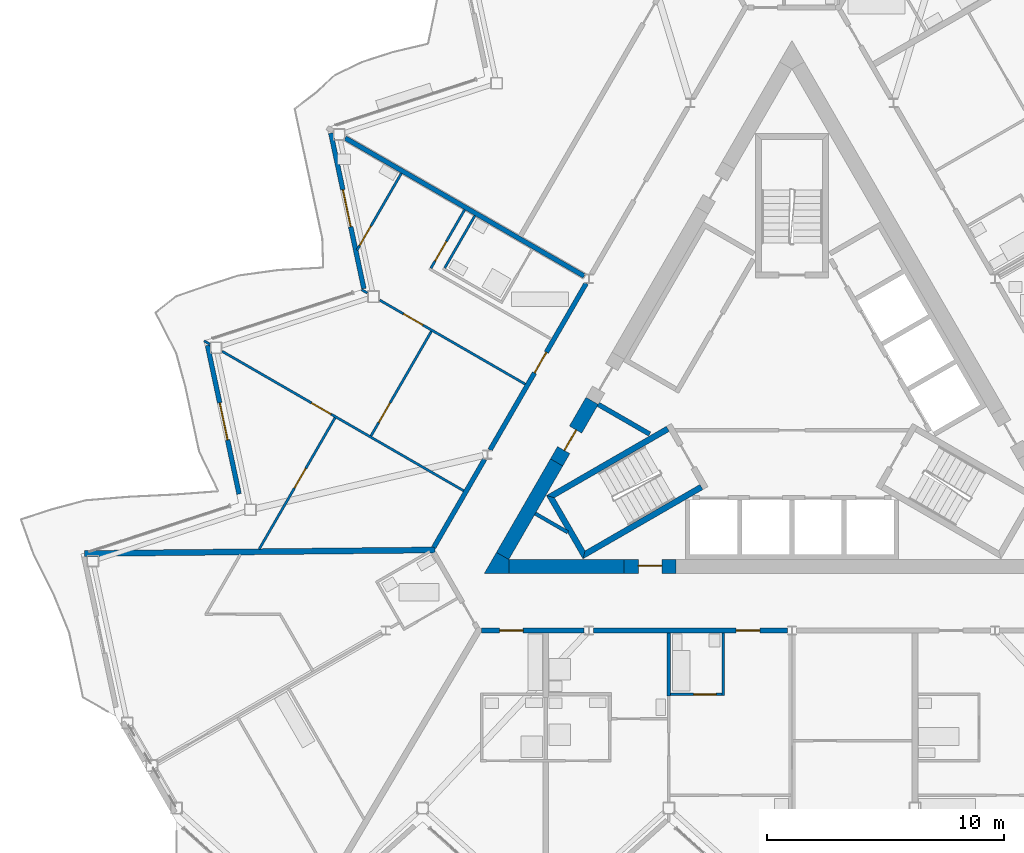
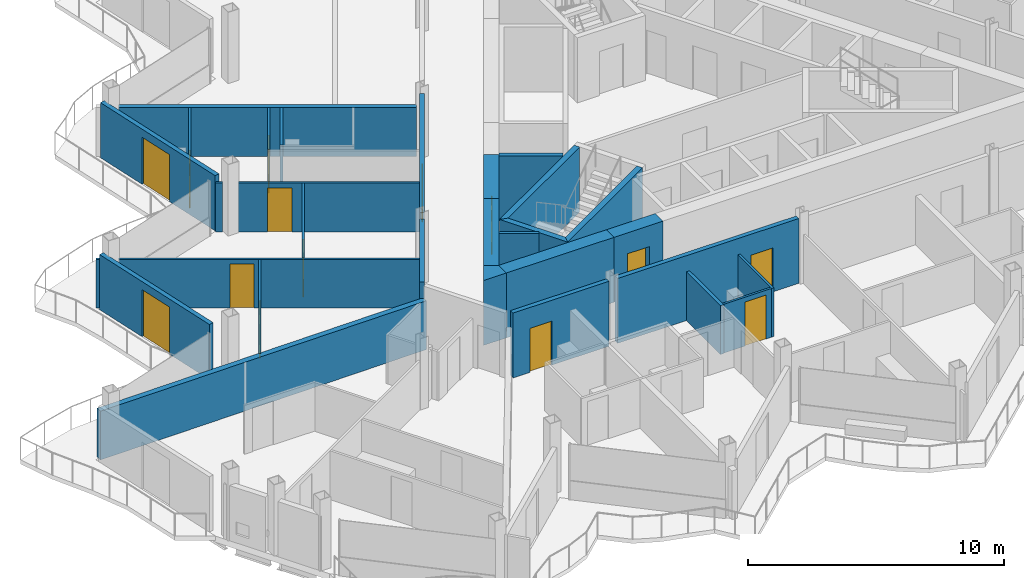
# One storey, part 13 of 26: 30 walls, 14 doors, 14 openings.
"""IFC4 building model written with IfcOpenShell, lengths in metres."""

from ifc_helpers import new_model, si_unit, direction, frame, frame_2d, origin, place, context, subcontext, project, spatial, polyline, rectangle, outline, extrude, material, layer, layer_set, type_object, element, fill, save


model = new_model("IFC4")

# Units and contexts
model_context = context("Model", 3, precision=1e-05, world=origin(), true_north=direction((0.0, 1.0)))
body_context = subcontext(model_context, "Body", "Model", "MODEL_VIEW")
ifc_project = project(units=[si_unit("LENGTHUNIT", "METRE"), si_unit("AREAUNIT", "SQUARE_METRE"), si_unit("VOLUMEUNIT", "CUBIC_METRE"), si_unit("PLANEANGLEUNIT", "RADIAN"), si_unit("MASSUNIT", "GRAM", prefix="KILO")], contexts=[model_context])

# Site, building, storey
site_placement = place(None, origin())
site = spatial("IfcSite", under=ifc_project, at=site_placement, CompositionType="ELEMENT")
building_placement = place(site_placement, origin())
building = spatial("IfcBuilding", under=site, at=building_placement, Name="Cormorant Prow Tower", CompositionType="ELEMENT")
storey_placement = place(building_placement, frame((0.0, 0.0, 374.60009765625)))
storey = spatial("IfcBuildingStorey", under=building, at=storey_placement, Name="L84", CompositionType="ELEMENT", Elevation=374.60009765625)

# Walls
ifc_material_1 = material(Name="Gypsum board partition")
ifc_layer_1 = layer(ifc_material_1, 0.14990234375)
ifc_layer_set_1 = layer_set([ifc_layer_1], Name="Gypsum board partition")
wall_type_1 = type_object("IfcWallType", Name="Core partition 150", PredefinedType="PARTITIONING", material=ifc_layer_set_1)
wall_1_placement = place(storey_placement, frame((-10.841796875, -4.96728515625, 0.0), z_axis=(0.0, 0.0, 1.0), x_axis=(0.866098216386, -0.499873863663, 0.0)))
element("IfcWall", 1, at=wall_1_placement, inside=storey, type_object=wall_type_1, Name="Service room partition", PredefinedType="PARTITIONING", context=body_context, shape_type="SweptSolid", body=[
    extrude(rectangle(XDim=1.58203125, YDim=0.14990234375, at=frame_2d((0.791015625, 0.0))), origin(), (0.0, 0.0, 1.0), 3.099853515625),
])
ifc_material_2 = material(Name="Concrete 8000 psi", Category="concrete")
ifc_layer_2 = layer(ifc_material_2, 0.60009765625)
ifc_layer_set_2 = layer_set([ifc_layer_2], Name="Concrete 8000 psi")
wall_type_2 = type_object("IfcWallType", Name="Core shear wall 600", PredefinedType="SHEAR", material=ifc_layer_set_2)
wall_2_placement = place(storey_placement, frame((-11.960693359375, -7.20556640625, 0.0), z_axis=(0.0, 0.0, 1.0), x_axis=(1.0, 0.0, 0.0)))
element("IfcWall", 2, at=wall_2_placement, inside=storey, type_object=wall_type_2, Name="Core wall", PredefinedType="SHEAR", context=body_context, shape_type="SweptSolid", body=[
    extrude(rectangle(XDim=4.868408203125, YDim=0.60009765625, at=frame_2d((2.43408203125, 0.0))), origin(), (0.0, 0.0, 1.0), 3.099853515625),
])
wall_3_placement = place(storey_placement, frame((-9.94091796875, -2.80712890625, 0.0), z_axis=(0.0, 0.0, 1.0), x_axis=(-0.500020646047, -0.866013483456, 0.0)))
element("IfcWall", 3, at=wall_3_placement, inside=storey, type_object=wall_type_2, Name="Core wall", PredefinedType="SHEAR", context=body_context, shape_type="SweptSolid", body=[
    extrude(rectangle(XDim=4.559326171875, YDim=0.60009765625, at=frame_2d((2.27978515625, 0.0))), origin(), (0.0, 0.0, 1.0), 3.099853515625),
])
wall_4_placement = place(storey_placement, origin())
element("IfcWall", 4, at=wall_4_placement, inside=storey, type_object=wall_type_2, Name="Core wall corner", PredefinedType="SHEAR", context=body_context, shape_type="SweptSolid", body=[
    extrude(outline(polyline([(-12.48046875, -6.605712890625), (-11.960693359375, -6.905517578125), (-11.960693359375, -7.505615234375), (-13.0, -7.505615234375), (-12.48046875, -6.605712890625)])), origin(), (0.0, 0.0, 1.0), 3.099853515625),
])

# Wall, opening, door
wall_5_placement = place(storey_placement, frame((-7.09228515625, -7.20556640625, 0.0), z_axis=(0.0, 0.0, 1.0), x_axis=(1.0, 0.0, 0.0)))
wall_5 = element("IfcWall", 5, at=wall_5_placement, inside=storey, type_object=wall_type_2, Name="Core wall door panel", PredefinedType="SHEAR", context=body_context, shape_type="SweptSolid", body=[
    extrude(rectangle(XDim=2.2001953125, YDim=0.60009765625, at=frame_2d((1.10009765625, 0.0))), origin(), (0.0, 0.0, 1.0), 3.099853515625),
])
opening_1_placement = place(wall_5_placement, frame((0.60009765625, 0.0, 0.0)))
opening_1 = element("IfcOpeningElement", 6, at=opening_1_placement, cuts=wall_5, Name="Opening L84-C14", PredefinedType="OPENING", context=body_context, shape_type="SweptSolid", body=[
    extrude(rectangle(XDim=1.0, YDim=2.10009765625, at=frame_2d((0.5, 1.050048828125))), frame((0.0, 0.31005859375, 0.0), z_axis=(0.0, -1.0, 0.0), x_axis=(1.0, 0.0, 0.0)), (0.0, 0.0, 1.0), 0.6201171875),
])
ifc_material_3 = material(Name="Painted steel", Category="steel")
door_type_1 = type_object("IfcDoorType", Name="Service door 1000x2100", OperationType="NOTDEFINED", PredefinedType="DOOR", material=ifc_material_3)
door_1_placement = place(opening_1_placement, origin())
door_1 = element("IfcDoor", 7, at=door_1_placement, inside=storey, type_object=door_type_1, Name="Core door, Housekeeping store", OperationType="SINGLE_SWING_LEFT", OverallHeight=2.10009765625, OverallWidth=1.0, PredefinedType="DOOR", context=body_context, shape_type="SweptSolid", body=[
    extrude(rectangle(XDim=1.0, YDim=2.10009765625, at=frame_2d((0.5, 1.050048828125))), frame((0.0, 0.05517578125, 0.0), z_axis=(0.0, -1.0, 0.0), x_axis=(1.0, 0.0, 0.0)), (0.0, 0.0, 1.0), 0.050048828125),
])
fill(opening_1, door_1)

wall_6_placement = place(storey_placement, frame((-8.440185546875, -0.207763671875, 0.0), z_axis=(0.0, 0.0, 1.0), x_axis=(-0.499997052475, -0.866027105532, 0.0)))
wall_6 = element("IfcWall", 8, at=wall_6_placement, inside=storey, type_object=wall_type_2, Name="Core wall door panel", PredefinedType="SHEAR", context=body_context, shape_type="SweptSolid", body=[
    extrude(rectangle(XDim=3.00146484375, YDim=0.60009765625, at=frame_2d((1.500732421875, 0.0))), origin(), (0.0, 0.0, 1.0), 3.099853515625),
])
opening_2_placement = place(wall_6_placement, frame((1.39990234375, 0.0, 0.0)))
opening_2 = element("IfcOpeningElement", 9, at=opening_2_placement, cuts=wall_6, Name="Opening L84-C16", PredefinedType="OPENING", context=body_context, shape_type="SweptSolid", body=[
    extrude(rectangle(XDim=1.0, YDim=2.10009765625, at=frame_2d((0.5, 1.050048828125))), frame((0.0, 0.31005859375, 0.0), z_axis=(0.0, -1.0, 0.0), x_axis=(1.0, 0.0, 0.0)), (0.0, 0.0, 1.0), 0.6201171875),
])
door_2_placement = place(opening_2_placement, origin())
door_2 = element("IfcDoor", 10, at=door_2_placement, inside=storey, type_object=door_type_1, Name="Core door, Linen store", OperationType="SINGLE_SWING_RIGHT", OverallHeight=2.10009765625, OverallWidth=1.0, PredefinedType="DOOR", context=body_context, shape_type="SweptSolid", body=[
    extrude(rectangle(XDim=1.0, YDim=2.10009765625, at=frame_2d((0.5, 1.050048828125))), frame((0.0, 0.05517578125, 0.0), z_axis=(0.0, -1.0, 0.0), x_axis=(1.0, 0.0, 0.0)), (0.0, 0.0, 1.0), 0.050048828125),
])
fill(opening_2, door_2)

ifc_material_4 = material(Name="Gypsum board corridor wall")
ifc_layer_3 = layer(ifc_material_4, 0.199951171875)
ifc_layer_set_3 = layer_set([ifc_layer_3], Name="Gypsum board corridor wall")
wall_type_3 = type_object("IfcWallType", Name="Corridor wall 200", PredefinedType="PARTITIONING", material=ifc_layer_set_3)
wall_7_placement = place(storey_placement, frame((-8.381591796875, -9.905517578125, 0.0), z_axis=(0.0, 0.0, 1.0), x_axis=(1.0, 0.0, 0.0)))
wall_7 = element("IfcWall", 11, at=wall_7_placement, inside=storey, type_object=wall_type_3, Name="Corridor wall", PredefinedType="PARTITIONING", context=body_context, shape_type="SweptSolid", body=[
    extrude(rectangle(XDim=8.1845703125, YDim=0.199951171875, at=frame_2d((4.09228515625, 0.0))), origin(), (0.0, 0.0, 1.0), 3.099853515625),
])
opening_3_placement = place(wall_7_placement, frame((6.02294921875, 0.0, 0.0)))
opening_3 = element("IfcOpeningElement", 12, at=opening_3_placement, cuts=wall_7, Name="Opening L84-F03", PredefinedType="OPENING", context=body_context, shape_type="SweptSolid", body=[
    extrude(rectangle(XDim=1.0, YDim=2.10009765625, at=frame_2d((0.5, 1.050048828125))), frame((0.0, 0.10986328125, 0.0), z_axis=(0.0, -1.0, 0.0), x_axis=(1.0, 0.0, 0.0)), (0.0, 0.0, 1.0), 0.219970703125),
])
ifc_material_5 = material(Name="Timber door leaf", Category="wood")
door_type_2 = type_object("IfcDoorType", Name="Flat or room entrance door 1000x2100", OperationType="NOTDEFINED", PredefinedType="DOOR", material=ifc_material_5)
door_3_placement = place(opening_3_placement, origin())
door_3 = element("IfcDoor", 13, at=door_3_placement, inside=storey, type_object=door_type_2, Name="Living room door", OperationType="SINGLE_SWING_LEFT", OverallHeight=2.10009765625, OverallWidth=1.0, PredefinedType="DOOR", context=body_context, shape_type="SweptSolid", body=[
    extrude(rectangle(XDim=1.0, YDim=2.10009765625, at=frame_2d((0.5, 1.050048828125))), frame((0.0, 0.02490234375, 0.0), z_axis=(0.0, -1.0, 0.0), x_axis=(1.0, 0.0, 0.0)), (0.0, 0.0, 1.0), 0.050048828125),
])
fill(opening_3, door_3)

wall_8_placement = place(storey_placement, frame((-12.75390625, -2.279296875, 0.0), z_axis=(0.0, 0.0, 1.0), x_axis=(0.500001682468, 0.866024432409, 0.0)))
wall_8 = element("IfcWall", 14, at=wall_8_placement, inside=storey, type_object=wall_type_3, Name="Corridor wall", PredefinedType="PARTITIONING", context=body_context, shape_type="SweptSolid", body=[
    extrude(rectangle(XDim=8.12353515625, YDim=0.199951171875, at=frame_2d((4.061767578125, 0.0))), origin(), (0.0, 0.0, 1.0), 3.099853515625),
])
opening_4_placement = place(wall_8_placement, frame((3.762451171875, 0.0, 0.0)))
opening_4 = element("IfcOpeningElement", 15, at=opening_4_placement, cuts=wall_8, Name="Opening L84-F45", PredefinedType="OPENING", context=body_context, shape_type="SweptSolid", body=[
    extrude(rectangle(XDim=1.0, YDim=2.10009765625, at=frame_2d((0.5, 1.050048828125))), frame((0.0, 0.10986328125, 0.0), z_axis=(0.0, -1.0, 0.0), x_axis=(1.0, 0.0, 0.0)), (0.0, 0.0, 1.0), 0.219970703125),
])
door_4_placement = place(opening_4_placement, origin())
door_4 = element("IfcDoor", 16, at=door_4_placement, inside=storey, type_object=door_type_2, Name="Living room door", OperationType="SINGLE_SWING_RIGHT", OverallHeight=2.10009765625, OverallWidth=1.0, PredefinedType="DOOR", context=body_context, shape_type="SweptSolid", body=[
    extrude(rectangle(XDim=1.0, YDim=2.10009765625, at=frame_2d((0.5, 1.050048828125))), frame((0.0, 0.02490234375, 0.0), z_axis=(0.0, -1.0, 0.0), x_axis=(1.0, 0.0, 0.0)), (0.0, 0.0, 1.0), 0.050048828125),
])
fill(opening_4, door_4)

wall_9_placement = place(storey_placement, frame((-13.10595703125, -9.905517578125, 0.0), z_axis=(0.0, 0.0, 1.0), x_axis=(1.0, 0.0, 0.0)))
wall_9 = element("IfcWall", 17, at=wall_9_placement, inside=storey, type_object=wall_type_3, Name="Corridor wall", PredefinedType="PARTITIONING", context=body_context, shape_type="SweptSolid", body=[
    extrude(rectangle(XDim=4.33056640625, YDim=0.199951171875, at=frame_2d((2.165283203125, 0.0))), origin(), (0.0, 0.0, 1.0), 3.099853515625),
])
opening_5_placement = place(wall_9_placement, frame((0.75537109375, 0.0, 0.0)))
opening_5 = element("IfcOpeningElement", 18, at=opening_5_placement, cuts=wall_9, Name="Opening L84-F01", PredefinedType="OPENING", context=body_context, shape_type="SweptSolid", body=[
    extrude(rectangle(XDim=1.0, YDim=2.10009765625, at=frame_2d((0.5, 1.050048828125))), frame((0.0, 0.10986328125, 0.0), z_axis=(0.0, -1.0, 0.0), x_axis=(1.0, 0.0, 0.0)), (0.0, 0.0, 1.0), 0.219970703125),
])
door_5_placement = place(opening_5_placement, origin())
door_5 = element("IfcDoor", 19, at=door_5_placement, inside=storey, type_object=door_type_2, Name="Studio living, kitchen and sleeping room door", OperationType="SINGLE_SWING_LEFT", OverallHeight=2.10009765625, OverallWidth=1.0, PredefinedType="DOOR", context=body_context, shape_type="SweptSolid", body=[
    extrude(rectangle(XDim=1.0, YDim=2.10009765625, at=frame_2d((0.5, 1.050048828125))), frame((0.0, 0.02490234375, 0.0), z_axis=(0.0, -1.0, 0.0), x_axis=(1.0, 0.0, 0.0)), (0.0, 0.0, 1.0), 0.050048828125),
])
fill(opening_5, door_5)

# Walls
wall_10_placement = place(storey_placement, frame((-15.13134765625, -6.397216796875, 0.0), z_axis=(0.0, 0.0, 1.0), x_axis=(0.499986217557, 0.866033360935, 0.0)))
element("IfcWall", 20, at=wall_10_placement, inside=storey, type_object=wall_type_3, Name="Corridor wall", PredefinedType="PARTITIONING", context=body_context, shape_type="SweptSolid", body=[
    extrude(rectangle(XDim=4.2998046875, YDim=0.199951171875, at=frame_2d((2.14990234375, 0.0))), origin(), (0.0, 0.0, 1.0), 3.099853515625),
])
ifc_material_6 = material(Name="Gypsum board demising wall")
ifc_layer_4 = layer(ifc_material_6, 0.199951171875)
ifc_layer_set_4 = layer_set([ifc_layer_4], Name="Gypsum board demising wall")
wall_type_4 = type_object("IfcWallType", Name="Demising wall 200", PredefinedType="PARTITIONING", material=ifc_layer_set_4)
wall_11_placement = place(storey_placement, frame((-18.86865234375, 10.893798828125, 0.0), z_axis=(0.0, 0.0, 1.0), x_axis=(0.866023724155, -0.500002909193, 0.0)))
element("IfcWall", 21, at=wall_11_placement, inside=storey, type_object=wall_type_4, Name="Demising wall", PredefinedType="PARTITIONING", context=body_context, shape_type="SweptSolid", body=[
    extrude(rectangle(XDim=11.65478515625, YDim=0.199951171875, at=frame_2d((5.827392578125, 0.0))), origin(), (0.0, 0.0, 1.0), 2.330078125),
])

# Wall, opening, door
ifc_material_7 = material(Name="Gypsum board partition")
ifc_layer_5 = layer(ifc_material_7, 0.10009765625)
ifc_layer_set_5 = layer_set([ifc_layer_5], Name="Gypsum board partition")
wall_type_5 = type_object("IfcWallType", Name="Internal partition 100", PredefinedType="PARTITIONING", material=ifc_layer_set_5)
wall_12_placement = place(storey_placement, frame((-24.068603515625, 1.88720703125, 0.0), z_axis=(0.0, 0.0, 1.0), x_axis=(0.866023404247, -0.500003463284, 0.0)))
wall_12 = element("IfcWall", 22, at=wall_12_placement, inside=storey, type_object=wall_type_5, Name="Internal partition", PredefinedType="PARTITIONING", context=body_context, shape_type="SweptSolid", body=[
    extrude(rectangle(XDim=11.7822265625, YDim=0.10009765625, at=frame_2d((5.89111328125, 0.0))), origin(), (0.0, 0.0, 1.0), 2.330078125),
])
opening_6_placement = place(wall_12_placement, frame((4.36279296875, 0.0, 0.0)))
opening_6 = element("IfcOpeningElement", 23, at=opening_6_placement, cuts=wall_12, Name="Opening L84-F50", PredefinedType="OPENING", context=body_context, shape_type="SweptSolid", body=[
    extrude(rectangle(XDim=0.949951171875, YDim=2.10009765625, at=frame_2d((0.47509765625, 1.050048828125))), frame((0.0, 0.06005859375, 0.0), z_axis=(0.0, -1.0, 0.0), x_axis=(1.0, 0.0, 0.0)), (0.0, 0.0, 1.0), 0.1201171875),
])
ifc_material_8 = material(Name="Timber door leaf", Category="wood")
door_type_3 = type_object("IfcDoorType", Name="Bathroom door 950x2100", OperationType="NOTDEFINED", PredefinedType="DOOR", material=ifc_material_8)
door_6_placement = place(opening_6_placement, origin())
door_6 = element("IfcDoor", 24, at=door_6_placement, inside=storey, type_object=door_type_3, Name="Bedroom door", OperationType="SINGLE_SWING_RIGHT", OverallHeight=2.10009765625, OverallWidth=0.949951171875, PredefinedType="DOOR", context=body_context, shape_type="SweptSolid", body=[
    extrude(rectangle(XDim=0.949951171875, YDim=2.10009765625, at=frame_2d((0.47509765625, 1.050048828125))), frame((0.0, 0.02490234375, 0.0), z_axis=(0.0, -1.0, 0.0), x_axis=(1.0, 0.0, 0.0)), (0.0, 0.0, 1.0), 0.050048828125),
])
fill(opening_6, door_6)

wall_13_placement = place(storey_placement, frame((-17.413818359375, 4.04931640625, 0.0), z_axis=(0.0, 0.0, 1.0), x_axis=(0.866033839264, -0.499985389037, 0.0)))
wall_13 = element("IfcWall", 25, at=wall_13_placement, inside=storey, type_object=wall_type_5, Name="Internal partition", PredefinedType="PARTITIONING", context=body_context, shape_type="SweptSolid", body=[
    extrude(rectangle(XDim=7.099853515625, YDim=0.10009765625, at=frame_2d((3.5498046875, 0.0))), origin(), (0.0, 0.0, 1.0), 2.330078125),
])
opening_7_placement = place(wall_13_placement, frame((1.157958984375, 0.0, 0.0)))
opening_7 = element("IfcOpeningElement", 26, at=opening_7_placement, cuts=wall_13, Name="Opening L84-F48", PredefinedType="OPENING", context=body_context, shape_type="SweptSolid", body=[
    extrude(rectangle(XDim=0.949951171875, YDim=2.10009765625, at=frame_2d((0.47509765625, 1.050048828125))), frame((0.0, 0.06005859375, 0.0), z_axis=(0.0, -1.0, 0.0), x_axis=(1.0, 0.0, 0.0)), (0.0, 0.0, 1.0), 0.1201171875),
])
door_7_placement = place(opening_7_placement, origin())
door_7 = element("IfcDoor", 27, at=door_7_placement, inside=storey, type_object=door_type_3, Name="Living room door", OperationType="SINGLE_SWING_RIGHT", OverallHeight=2.10009765625, OverallWidth=0.949951171875, PredefinedType="DOOR", context=body_context, shape_type="SweptSolid", body=[
    extrude(rectangle(XDim=0.949951171875, YDim=2.10009765625, at=frame_2d((0.47509765625, 1.050048828125))), frame((0.0, 0.02490234375, 0.0), z_axis=(0.0, -1.0, 0.0), x_axis=(1.0, 0.0, 0.0)), (0.0, 0.0, 1.0), 0.050048828125),
])
fill(opening_7, door_7)

wall_14_placement = place(storey_placement, frame((-22.505126953125, -6.4716796875, 0.0), z_axis=(0.0, 0.0, 1.0), x_axis=(0.499999516514, 0.866025682925, 0.0)))
wall_14 = element("IfcWall", 28, at=wall_14_placement, inside=storey, type_object=wall_type_5, Name="Internal partition", PredefinedType="PARTITIONING", context=body_context, shape_type="SweptSolid", body=[
    extrude(rectangle(XDim=6.4072265625, YDim=0.10009765625, at=frame_2d((3.20361328125, 0.0))), origin(), (0.0, 0.0, 1.0), 2.330078125),
])
opening_8_placement = place(wall_14_placement, frame((2.9814453125, 0.0, 0.0)))
opening_8 = element("IfcOpeningElement", 29, at=opening_8_placement, cuts=wall_14, Name="Opening L84-F51", PredefinedType="OPENING", context=body_context, shape_type="SweptSolid", body=[
    extrude(rectangle(XDim=0.949951171875, YDim=2.10009765625, at=frame_2d((0.47509765625, 1.050048828125))), frame((0.0, 0.06005859375, 0.0), z_axis=(0.0, -1.0, 0.0), x_axis=(1.0, 0.0, 0.0)), (0.0, 0.0, 1.0), 0.1201171875),
])
door_8_placement = place(opening_8_placement, origin())
door_8 = element("IfcDoor", 30, at=door_8_placement, inside=storey, type_object=door_type_3, Name="Bedroom door", OperationType="SINGLE_SWING_RIGHT", OverallHeight=2.10009765625, OverallWidth=0.949951171875, PredefinedType="DOOR", context=body_context, shape_type="SweptSolid", body=[
    extrude(rectangle(XDim=0.949951171875, YDim=2.10009765625, at=frame_2d((0.47509765625, 1.050048828125))), frame((0.0, 0.02490234375, 0.0), z_axis=(0.0, -1.0, 0.0), x_axis=(1.0, 0.0, 0.0)), (0.0, 0.0, 1.0), 0.050048828125),
])
fill(opening_8, door_8)

wall_15_placement = place(storey_placement, frame((-17.7802734375, -1.685791015625, 0.0), z_axis=(0.0, 0.0, 1.0), x_axis=(0.500005610874, 0.86602216432, 0.0)))
wall_15 = element("IfcWall", 31, at=wall_15_placement, inside=storey, type_object=wall_type_5, Name="Internal partition", PredefinedType="PARTITIONING", context=body_context, shape_type="SweptSolid", body=[
    extrude(rectangle(XDim=5.10009765625, YDim=0.10009765625, at=frame_2d((2.550048828125, 0.0))), origin(), (0.0, 0.0, 1.0), 2.330078125),
])
opening_9_placement = place(wall_15_placement, frame((0.655517578125, 0.0, 0.0)))
opening_9 = element("IfcOpeningElement", 32, at=opening_9_placement, cuts=wall_15, Name="Opening L84-F49", PredefinedType="OPENING", context=body_context, shape_type="SweptSolid", body=[
    extrude(rectangle(XDim=0.949951171875, YDim=2.10009765625, at=frame_2d((0.47509765625, 1.050048828125))), frame((0.0, 0.06005859375, 0.0), z_axis=(0.0, -1.0, 0.0), x_axis=(1.0, 0.0, 0.0)), (0.0, 0.0, 1.0), 0.1201171875),
])
door_9_placement = place(opening_9_placement, origin())
door_9 = element("IfcDoor", 33, at=door_9_placement, inside=storey, type_object=door_type_3, Name="Bedroom door", OperationType="SINGLE_SWING_LEFT", OverallHeight=2.10009765625, OverallWidth=0.949951171875, PredefinedType="DOOR", context=body_context, shape_type="SweptSolid", body=[
    extrude(rectangle(XDim=0.949951171875, YDim=2.10009765625, at=frame_2d((0.47509765625, 1.050048828125))), frame((0.0, 0.02490234375, 0.0), z_axis=(0.0, -1.0, 0.0), x_axis=(1.0, 0.0, 0.0)), (0.0, 0.0, 1.0), 0.050048828125),
])
fill(opening_9, door_9)

wall_16_placement = place(storey_placement, frame((-18.3720703125, 6.15966796875, 0.0), z_axis=(0.0, 0.0, 1.0), x_axis=(0.499981580887, 0.866036037803, 0.0)))
wall_16 = element("IfcWall", 34, at=wall_16_placement, inside=storey, type_object=wall_type_5, Name="Internal partition", PredefinedType="PARTITIONING", context=body_context, shape_type="SweptSolid", body=[
    extrude(rectangle(XDim=3.751708984375, YDim=0.10009765625, at=frame_2d((1.8759765625, 0.0))), origin(), (0.0, 0.0, 1.0), 2.330078125),
])
opening_10_placement = place(wall_16_placement, frame((0.222412109375, 0.0, 0.0)))
opening_10 = element("IfcOpeningElement", 35, at=opening_10_placement, cuts=wall_16, Name="Opening L84-F46", PredefinedType="OPENING", context=body_context, shape_type="SweptSolid", body=[
    extrude(rectangle(XDim=0.949951171875, YDim=2.10009765625, at=frame_2d((0.47509765625, 1.050048828125))), frame((0.0, 0.06005859375, 0.0), z_axis=(0.0, -1.0, 0.0), x_axis=(1.0, 0.0, 0.0)), (0.0, 0.0, 1.0), 0.1201171875),
])
door_10_placement = place(opening_10_placement, origin())
door_10 = element("IfcDoor", 36, at=door_10_placement, inside=storey, type_object=door_type_3, Name="Living room door", OperationType="SINGLE_SWING_LEFT", OverallHeight=2.10009765625, OverallWidth=0.949951171875, PredefinedType="DOOR", context=body_context, shape_type="SweptSolid", body=[
    extrude(rectangle(XDim=0.949951171875, YDim=2.10009765625, at=frame_2d((0.47509765625, 1.050048828125))), frame((0.0, 0.02490234375, 0.0), z_axis=(0.0, -1.0, 0.0), x_axis=(1.0, 0.0, 0.0)), (0.0, 0.0, 1.0), 0.050048828125),
])
fill(opening_10, door_10)

wall_17_placement = place(storey_placement, frame((-15.24951171875, 5.39794921875, 0.0), z_axis=(0.0, 0.0, 1.0), x_axis=(0.499935029643, 0.866062911188, 0.0)))
wall_17 = element("IfcWall", 37, at=wall_17_placement, inside=storey, type_object=wall_type_5, Name="Internal partition", PredefinedType="PARTITIONING", context=body_context, shape_type="SweptSolid", body=[
    extrude(rectangle(XDim=2.85009765625, YDim=0.10009765625, at=frame_2d((1.425048828125, 0.0))), origin(), (0.0, 0.0, 1.0), 2.330078125),
])
opening_11_placement = place(wall_17_placement, frame((0.35009765625, 0.0, 0.0)))
opening_11 = element("IfcOpeningElement", 38, at=opening_11_placement, cuts=wall_17, Name="Opening L84-F47", PredefinedType="OPENING", context=body_context, shape_type="SweptSolid", body=[
    extrude(rectangle(XDim=0.949951171875, YDim=2.10009765625, at=frame_2d((0.47509765625, 1.050048828125))), frame((0.0, 0.06005859375, 0.0), z_axis=(0.0, -1.0, 0.0), x_axis=(1.0, 0.0, 0.0)), (0.0, 0.0, 1.0), 0.1201171875),
])
door_11_placement = place(opening_11_placement, origin())
door_11 = element("IfcDoor", 39, at=door_11_placement, inside=storey, type_object=door_type_3, Name="Living room door", OperationType="SINGLE_SWING_LEFT", OverallHeight=2.10009765625, OverallWidth=0.949951171875, PredefinedType="DOOR", context=body_context, shape_type="SweptSolid", body=[
    extrude(rectangle(XDim=0.949951171875, YDim=2.10009765625, at=frame_2d((0.47509765625, 1.050048828125))), frame((0.0, 0.02490234375, 0.0), z_axis=(0.0, -1.0, 0.0), x_axis=(1.0, 0.0, 0.0)), (0.0, 0.0, 1.0), 0.050048828125),
])
fill(opening_11, door_11)

# Walls
wall_18_placement = place(storey_placement, frame((-2.89990234375, -12.655517578125, 0.0), z_axis=(0.0, 0.0, 1.0), x_axis=(0.0, 1.0, 0.0)))
element("IfcWall", 40, at=wall_18_placement, inside=storey, type_object=wall_type_5, Name="Internal partition", PredefinedType="PARTITIONING", context=body_context, shape_type="SweptSolid", body=[
    extrude(rectangle(XDim=2.64990234375, YDim=0.10009765625, at=frame_2d((1.324951171875, 0.0))), origin(), (0.0, 0.0, 1.0), 2.330078125),
])
wall_19_placement = place(storey_placement, frame((-14.66650390625, 5.40771484375, 0.0), z_axis=(0.0, 0.0, 1.0), x_axis=(0.499948979701, 0.866054858364, 0.0)))
element("IfcWall", 41, at=wall_19_placement, inside=storey, type_object=wall_type_5, Name="Internal partition", PredefinedType="PARTITIONING", context=body_context, shape_type="SweptSolid", body=[
    extrude(rectangle(XDim=2.550048828125, YDim=0.10009765625, at=frame_2d((1.27490234375, 0.0))), origin(), (0.0, 0.0, 1.0), 2.330078125),
])

# Wall, opening, door
wall_20_placement = place(storey_placement, frame((-5.125, -12.605712890625, 0.0), z_axis=(0.0, 0.0, 1.0), x_axis=(1.0, 0.0, 0.0)))
wall_20 = element("IfcWall", 42, at=wall_20_placement, inside=storey, type_object=wall_type_5, Name="Internal partition", PredefinedType="PARTITIONING", context=body_context, shape_type="SweptSolid", body=[
    extrude(rectangle(XDim=2.175048828125, YDim=0.10009765625, at=frame_2d((1.08740234375, 0.0))), origin(), (0.0, 0.0, 1.0), 2.330078125),
])
opening_12_placement = place(wall_20_placement, frame((0.97509765625, 0.0, 0.0)))
opening_12 = element("IfcOpeningElement", 43, at=opening_12_placement, cuts=wall_20, Name="Opening L84-F04", PredefinedType="OPENING", context=body_context, shape_type="SweptSolid", body=[
    extrude(rectangle(XDim=0.949951171875, YDim=2.10009765625, at=frame_2d((0.47509765625, 1.050048828125))), frame((0.0, 0.06005859375, 0.0), z_axis=(0.0, -1.0, 0.0), x_axis=(1.0, 0.0, 0.0)), (0.0, 0.0, 1.0), 0.1201171875),
])
door_12_placement = place(opening_12_placement, origin())
door_12 = element("IfcDoor", 44, at=door_12_placement, inside=storey, type_object=door_type_3, Name="Living room door", OperationType="SINGLE_SWING_RIGHT", OverallHeight=2.10009765625, OverallWidth=0.949951171875, PredefinedType="DOOR", context=body_context, shape_type="SweptSolid", body=[
    extrude(rectangle(XDim=0.949951171875, YDim=2.10009765625, at=frame_2d((0.47509765625, 1.050048828125))), frame((0.0, 0.02490234375, 0.0), z_axis=(0.0, -1.0, 0.0), x_axis=(1.0, 0.0, 0.0)), (0.0, 0.0, 1.0), 0.050048828125),
])
fill(opening_12, door_12)

# Walls
for number, where, z_axis, x_axis, name in (
    (45, (-18.17431640625, 4.48828125, 0.0), (0.0, 0.0, 1.0), (0.866288059981, -0.499544789918, 0.0), "Internal partition"),
    (46, (-24.8291015625, 2.326171875, 0.0), (0.0, 0.0, 1.0), (0.866288059981, -0.499544789918, 0.0), "Internal partition"),
):
    element("IfcWall", number, at=place(storey_placement, frame(where, z_axis=z_axis, x_axis=x_axis)), inside=storey, type_object=wall_type_5, Name=name, PredefinedType="PARTITIONING", context=body_context, shape_type="SweptSolid", body=[
        extrude(rectangle(XDim=0.277587890625, YDim=0.10009765625, at=frame_2d((0.138671875, 0.0))), origin(), (0.0, 0.0, 1.0), 2.330078125),
    ])
ifc_material_9 = material(Name="Concrete 8000 psi", Category="concrete")
ifc_layer_6 = layer(ifc_material_9, 0.199951171875)
ifc_layer_set_6 = layer_set([ifc_layer_6], Name="Concrete 8000 psi")
wall_type_6 = type_object("IfcWallType", Name="Lift shaft wall 200", PredefinedType="SHEAR", material=ifc_layer_set_6)
wall_21_placement = place(storey_placement, origin())
element("IfcWall", 47, at=wall_21_placement, inside=storey, type_object=wall_type_6, Name="Lift shaft walls, WNW block", PredefinedType="SHEAR", context=body_context, shape_type="SweptSolid", body=[
    extrude(outline(polyline([(-6.060546875, -1.697021484375), (-8.230712890625, -0.444091796875), (-8.130859375, -0.27099609375), (-5.96044921875, -1.52392578125), (-6.060546875, -1.697021484375)])), origin(), (0.0, 0.0, 1.0), 3.099853515625),
])
ifc_material_10 = material(Name="Concrete 8000 psi", Category="concrete")
ifc_layer_7 = layer(ifc_material_10, 0.25)
ifc_layer_set_7 = layer_set([ifc_layer_7], Name="Concrete 8000 psi")
wall_type_7 = type_object("IfcWallType", Name="Stair wall 250", PredefinedType="SHEAR", material=ifc_layer_set_7)
wall_22_placement = place(storey_placement, origin())
element("IfcWall", 48, at=wall_22_placement, inside=storey, type_object=wall_type_7, Name="Stair ST1 enclosure wall (flank)", PredefinedType="SHEAR", context=body_context, shape_type="SweptSolid", body=[
    extrude(outline(polyline([(-5.30712890625, -1.28125), (-10.37353515625, -4.206298828125), (-10.031982421875, -4.2978515625), (-5.18212890625, -1.497802734375), (-5.30712890625, -1.28125)])), origin(), (0.0, 0.0, 1.0), 3.099853515625),
])
wall_23_placement = place(storey_placement, origin())
element("IfcWall", 49, at=wall_23_placement, inside=storey, type_object=wall_type_7, Name="Stair ST1 enclosure wall (end)", PredefinedType="SHEAR", context=body_context, shape_type="SweptSolid", body=[
    extrude(outline(polyline([(-10.37353515625, -4.206298828125), (-8.82958984375, -6.880615234375), (-8.738037109375, -6.5390625), (-10.031982421875, -4.2978515625), (-10.37353515625, -4.206298828125)])), origin(), (0.0, 0.0, 1.0), 3.099853515625),
])
wall_24_placement = place(storey_placement, origin())
element("IfcWall", 50, at=wall_24_placement, inside=storey, type_object=wall_type_7, Name="Stair ST1 enclosure wall (flank)", PredefinedType="SHEAR", context=body_context, shape_type="SweptSolid", body=[
    extrude(outline(polyline([(-8.738037109375, -6.5390625), (-8.82958984375, -6.880615234375), (-3.76318359375, -3.95556640625), (-3.88818359375, -3.739013671875), (-8.738037109375, -6.5390625)])), origin(), (0.0, 0.0, 1.0), 3.099853515625),
])
ifc_material_11 = material(Name="Acoustic gypsum party wall")
ifc_layer_8 = layer(ifc_material_11, 0.25)
ifc_layer_set_8 = layer_set([ifc_layer_8], Name="Acoustic gypsum party wall")
wall_type_8 = type_object("IfcWallType", Name="Suite party wall 250", PredefinedType="PARTITIONING", material=ifc_layer_set_8)
wall_25_placement = place(storey_placement, frame((-29.88330078125, -6.653564453125, 0.0), z_axis=(0.0, 0.0, 1.0), x_axis=(0.999949143254, 0.010085182526, 0.0)))
element("IfcWall", 51, at=wall_25_placement, inside=storey, type_object=wall_type_8, Name="Suite party wall", PredefinedType="PARTITIONING", context=body_context, shape_type="SweptSolid", body=[
    extrude(rectangle(XDim=14.815185546875, YDim=0.25, at=frame_2d((7.40771484375, 0.0))), origin(), (0.0, 0.0, 1.0), 2.330078125),
])

# Wall, opening, door
ifc_material_12 = material(Name="Terracotta", Category="masonry")
ifc_layer_9 = layer(ifc_material_12, 0.199951171875)
ifc_layer_set_9 = layer_set([ifc_layer_9], Name="Terracotta")
wall_type_9 = type_object("IfcWallType", Name="Terracotta jamb wall 200", PredefinedType="SOLIDWALL", material=ifc_layer_set_9)
wall_26_placement = place(storey_placement, frame((-19.477294921875, 11.099853515625, 0.0), z_axis=(0.0, 0.0, 1.0), x_axis=(0.207910061304, -0.978147947096, 0.0)))
wall_26 = element("IfcWall", 52, at=wall_26_placement, inside=storey, type_object=wall_type_9, Name="Terracotta jamb wall WNW05", PredefinedType="SOLIDWALL", context=body_context, shape_type="SweptSolid", body=[
    extrude(rectangle(XDim=6.715576171875, YDim=0.199951171875, at=frame_2d((3.35791015625, 0.0))), origin(), (0.0, 0.0, 1.0), 2.6337890625),
])
opening_13_placement = place(wall_26_placement, frame((2.439208984375, 0.0, 0.0)))
opening_13 = element("IfcOpeningElement", 53, at=opening_13_placement, cuts=wall_26, Name="Opening ED84.13", PredefinedType="OPENING", context=body_context, shape_type="SweptSolid", body=[
    extrude(rectangle(XDim=1.60009765625, YDim=2.25, at=frame_2d((0.800048828125, 1.125))), frame((0.0, 0.10986328125, 0.0), z_axis=(0.0, -1.0, 0.0), x_axis=(1.0, 0.0, 0.0)), (0.0, 0.0, 1.0), 0.219970703125),
])
ifc_material_13 = material(Name="Aluminium 6063-T6", Category="aluminium")
door_type_4 = type_object("IfcDoorType", Name="Balcony door 1600x2250", OperationType="DOUBLE_DOOR_SINGLE_SWING", PredefinedType="DOOR", material=ifc_material_13)
door_13_placement = place(opening_13_placement, origin())
door_13 = element("IfcDoor", 54, at=door_13_placement, inside=storey, type_object=door_type_4, Name="Balcony door WNW05 ED84.13", OperationType="DOUBLE_DOOR_SINGLE_SWING", OverallHeight=2.25, OverallWidth=1.60009765625, PredefinedType="DOOR", context=body_context, shape_type="SweptSolid", body=[
    extrude(rectangle(XDim=1.60009765625, YDim=2.25, at=frame_2d((0.800048828125, 1.125))), frame((0.0, 0.02490234375, 0.0), z_axis=(0.0, -1.0, 0.0), x_axis=(1.0, 0.0, 0.0)), (0.0, 0.0, 1.0), 0.050048828125),
])
fill(opening_13, door_13)

wall_27_placement = place(storey_placement, frame((-24.6865234375, 2.13671875, 0.0), z_axis=(0.0, 0.0, 1.0), x_axis=(0.207904718109, -0.978149082803, 0.0)))
wall_27 = element("IfcWall", 55, at=wall_27_placement, inside=storey, type_object=wall_type_9, Name="Terracotta jamb wall WNW07", PredefinedType="SOLIDWALL", context=body_context, shape_type="SweptSolid", body=[
    extrude(rectangle(XDim=6.416259765625, YDim=0.199951171875, at=frame_2d((3.2080078125, 0.0))), origin(), (0.0, 0.0, 1.0), 2.6337890625),
])
opening_14_placement = place(wall_27_placement, frame((2.483642578125, 0.0, 0.0)))
opening_14 = element("IfcOpeningElement", 56, at=opening_14_placement, cuts=wall_27, Name="Opening ED84.14", PredefinedType="OPENING", context=body_context, shape_type="SweptSolid", body=[
    extrude(rectangle(XDim=1.60009765625, YDim=2.25, at=frame_2d((0.800048828125, 1.125))), frame((0.0, 0.10986328125, 0.0), z_axis=(0.0, -1.0, 0.0), x_axis=(1.0, 0.0, 0.0)), (0.0, 0.0, 1.0), 0.219970703125),
])
door_14_placement = place(opening_14_placement, origin())
door_14 = element("IfcDoor", 57, at=door_14_placement, inside=storey, type_object=door_type_4, Name="Balcony door WNW07 ED84.14", OperationType="DOUBLE_DOOR_SINGLE_SWING", OverallHeight=2.25, OverallWidth=1.60009765625, PredefinedType="DOOR", context=body_context, shape_type="SweptSolid", body=[
    extrude(rectangle(XDim=1.60009765625, YDim=2.25, at=frame_2d((0.800048828125, 1.125))), frame((0.0, 0.02490234375, 0.0), z_axis=(0.0, -1.0, 0.0), x_axis=(1.0, 0.0, 0.0)), (0.0, 0.0, 1.0), 0.050048828125),
])
fill(opening_14, door_14)

# Wall
ifc_material_14 = material(Name="Plasterboard wet wall with pipe chase")
ifc_layer_10 = layer(ifc_material_14, 0.14990234375)
ifc_layer_set_10 = layer_set([ifc_layer_10], Name="Plasterboard wet wall with pipe chase")
wall_type_10 = type_object("IfcWallType", Name="Wet wall 150", PredefinedType="PLUMBINGWALL", material=ifc_layer_set_10)
wall_28_placement = place(storey_placement, frame((-5.199951171875, -12.6806640625, 0.0), z_axis=(0.0, 0.0, 1.0), x_axis=(0.0, 1.0, 0.0)))
element("IfcWall", 58, at=wall_28_placement, inside=storey, type_object=wall_type_10, Name="Wet wall", PredefinedType="PLUMBINGWALL", context=body_context, shape_type="SweptSolid", body=[
    extrude(rectangle(XDim=2.675048828125, YDim=0.14990234375, at=frame_2d((1.33740234375, 0.0))), origin(), (0.0, 0.0, 1.0), 2.330078125),
])

save(model, "model.ifc")
